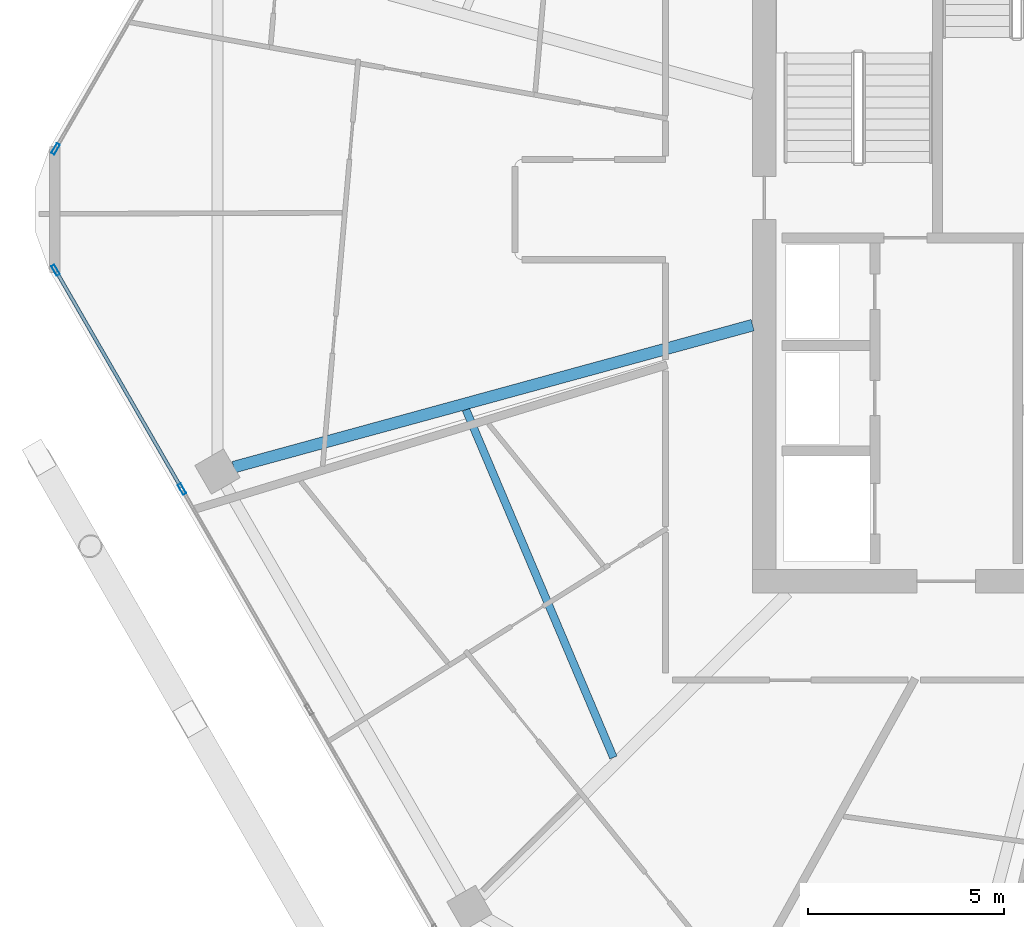
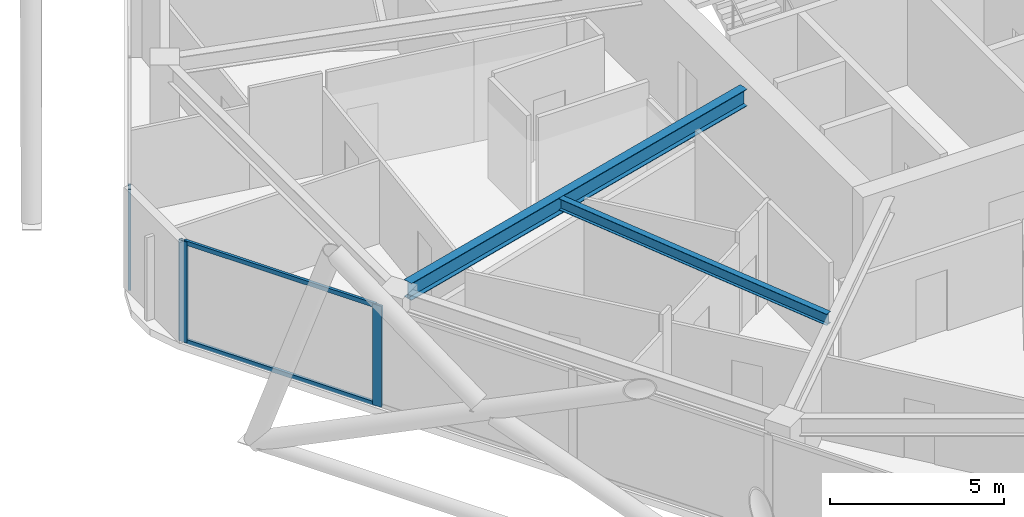
# One storey, part 6 of 27: 5 members, 2 beams, 2 elements without a shape of their own.
"""IFC4 building model written with IfcOpenShell, lengths in metres."""

from ifc_helpers import new_model, si_unit, direction, frame, origin, origin_2d, place, context, subcontext, project, spatial, hollow_rectangle, i_section, extrude, material, material_profile, profile_set, type_object, element, aggregate, save


model = new_model("IFC4")

# Units and contexts
model_context = context("Model", 3, precision=1e-05, world=origin(), true_north=direction((0.0, 1.0)))
body_context = subcontext(model_context, "Body", "Model", "MODEL_VIEW")
ifc_project = project(units=[si_unit("LENGTHUNIT", "METRE"), si_unit("AREAUNIT", "SQUARE_METRE"), si_unit("VOLUMEUNIT", "CUBIC_METRE"), si_unit("PLANEANGLEUNIT", "RADIAN"), si_unit("MASSUNIT", "GRAM", prefix="KILO")], contexts=[model_context])

# Site, building, storey
site_placement = place(None, origin())
site = spatial("IfcSite", under=ifc_project, at=site_placement, CompositionType="ELEMENT")
building_placement = place(site_placement, origin())
building = spatial("IfcBuilding", under=site, at=building_placement, Name="Zuhravey Tower", CompositionType="ELEMENT")
storey_placement = place(building_placement, frame((0.0, 0.0, 276.800048828125)))
storey = spatial("IfcBuildingStorey", under=building, at=storey_placement, Name="L70", CompositionType="ELEMENT", Elevation=276.800048828125)

# Curtain wall, members
ifc_material_1 = material(Name="Thermally broken anodised aluminium", Category="aluminium")
curtain_wall_type = type_object("IfcCurtainWallType", Name="Zone 3-4 High-Rise Curtain Wall CW4", PredefinedType="NOTDEFINED", material=ifc_material_1)
curtain_wall_1_placement = place(storey_placement, origin())
curtain_wall_1 = element("IfcCurtainWall", 1, at=curtain_wall_1_placement, inside=storey, type_object=curtain_wall_type, Name="L70 CW4 CW-L70-F4-1", PredefinedType="NOTDEFINED")
ifc_material_2 = material(Name="Anodised aluminium", Category="aluminium")
ifc_material_profile_1 = material_profile(ifc_material_2, hollow_rectangle(XDim=0.090087890625, YDim=0.284912109375, WallThickness=0.0048828125, at=origin_2d()), Name="ALU-RHS-90x285x5")
ifc_profile_set_1 = profile_set([ifc_material_profile_1], Name="Anodised aluminium")
member_type_1 = type_object("IfcMemberType", Name="Curtain-Wall Mullion 90x180", PredefinedType="MULLION", material=ifc_profile_set_1)
member_1_placement = place(storey_placement, frame((10.608154296875, 24.852783203125, 0.0), z_axis=(0.0, 0.0, 1.0), x_axis=(-0.866024851021, -0.500000957414, 0.0)))
member_1 = element("IfcMember", 2, at=member_1_placement, type_object=member_type_1, Name="CW4 mullion 4", PredefinedType="MULLION", context=body_context, shape_type="SweptSolid", body=[
    extrude(hollow_rectangle(XDim=0.090087890625, YDim=0.284912109375, WallThickness=0.0048828125, at=origin_2d()), origin(), (0.0, 0.0, 1.0), 3.550048828125),
])
member_2_placement = place(storey_placement, frame((7.37744140625, 30.448486328125, 0.0), z_axis=(0.0, 0.0, 1.0), x_axis=(-0.866024851021, -0.500000957414, 0.0)))
member_2 = element("IfcMember", 3, at=member_2_placement, type_object=member_type_1, Name="CW4 mullion 5", PredefinedType="MULLION", context=body_context, shape_type="SweptSolid", body=[
    extrude(hollow_rectangle(XDim=0.090087890625, YDim=0.284912109375, WallThickness=0.0048828125, at=origin_2d()), origin(), (0.0, 0.0, 1.0), 3.550048828125),
])

# Curtain wall, member
curtain_wall_2_placement = place(storey_placement, origin())
curtain_wall_2 = element("IfcCurtainWall", 4, at=curtain_wall_2_placement, inside=storey, type_object=curtain_wall_type, Name="L70 CW4 CW-L70-F3-1", PredefinedType="NOTDEFINED")
member_3_placement = place(storey_placement, frame((7.37744140625, 33.551513671875, 0.0), z_axis=(0.0, 0.0, 1.0), x_axis=(-0.866024851021, 0.500000957414, 0.0)))
member_3 = element("IfcMember", 5, at=member_3_placement, type_object=member_type_1, Name="CW4 mullion 1", PredefinedType="MULLION", context=body_context, shape_type="SweptSolid", body=[
    extrude(hollow_rectangle(XDim=0.090087890625, YDim=0.284912109375, WallThickness=0.0048828125, at=origin_2d()), origin(), (0.0, 0.0, 1.0), 3.550048828125),
])
aggregate(curtain_wall_2, [member_3])

# Member
ifc_material_profile_2 = material_profile(ifc_material_2, hollow_rectangle(XDim=0.090087890625, YDim=0.14990234375, WallThickness=0.0048828125, at=origin_2d()), Name="ALU-RHS-90x150x5")
ifc_profile_set_2 = profile_set([ifc_material_profile_2], Name="Anodised aluminium")
member_type_2 = type_object("IfcMemberType", Name="Curtain-Wall Transom 90x150", PredefinedType="USERDEFINED", material=ifc_profile_set_2)
member_4_placement = place(storey_placement, frame((10.585693359375, 24.891845703125, 0.044921875), z_axis=(-0.500008810174, 0.866020317169, 0.0), x_axis=(-0.866020317169, -0.500008810174, 0.0)))
member_4 = element("IfcMember", 6, at=member_4_placement, type_object=member_type_2, Name="CW4 transom 4.1", ObjectType="TRANSOM", PredefinedType="USERDEFINED", context=body_context, shape_type="SweptSolid", body=[
    extrude(hollow_rectangle(XDim=0.090087890625, YDim=0.14990234375, WallThickness=0.0048828125, at=origin_2d()), origin(), (0.0, 0.0, 1.0), 6.37158203125),
])

member_5_placement = place(storey_placement, frame((10.585693359375, 24.891845703125, 3.5048828125), z_axis=(-0.500008810174, 0.866020317169, 0.0), x_axis=(-0.866020317169, -0.500008810174, 0.0)))
member_5 = element("IfcMember", 7, at=member_5_placement, type_object=member_type_2, Name="CW4 transom 4.2", ObjectType="TRANSOM", PredefinedType="USERDEFINED", context=body_context, shape_type="SweptSolid", body=[
    extrude(hollow_rectangle(XDim=0.090087890625, YDim=0.14990234375, WallThickness=0.0048828125, at=origin_2d()), origin(), (0.0, 0.0, 1.0), 6.37158203125),
])

aggregate(curtain_wall_1, [member_1, member_2, member_4, member_5])

# Beams
ifc_material_3 = material(Name="Steel SM355", Category="steel")
ifc_material_profile_3 = material_profile(ifc_material_3, i_section(OverallWidth=0.300048828125, OverallDepth=0.60009765625, WebThickness=0.011962890625, FlangeThickness=0.02001953125, at=origin_2d()), Name="H-600x300x12x20")
ifc_profile_set_3 = profile_set([ifc_material_profile_3], Name="Steel SM355")
beam_type_1 = type_object("IfcBeamType", Name="Radial Primary Girder H600x300", PredefinedType="BEAM", material=ifc_profile_set_3)
beam_1_placement = place(storey_placement, frame((25.197021484375, 29.04443359375, 3.25), z_axis=(-0.964549305009, -0.263902705947, 0.0), x_axis=(0.263902705947, -0.964549305009, 0.0)))
element("IfcBeam", 8, at=beam_1_placement, inside=storey, type_object=beam_type_1, Name="L70 RG3 BM-L70-RAD-07", PredefinedType="BEAM", context=body_context, shape_type="SweptSolid", body=[
    extrude(i_section(OverallWidth=0.300048828125, OverallDepth=0.60009765625, WebThickness=0.011962890625, FlangeThickness=0.02001953125, at=origin_2d()), origin(), (0.0, 0.0, 1.0), 13.756591796875),
])
ifc_material_profile_4 = material_profile(ifc_material_3, i_section(OverallWidth=0.199951171875, OverallDepth=0.39990234375, WebThickness=0.008056640625, FlangeThickness=0.012939453125, at=origin_2d()), Name="H-400x200x8x13")
ifc_profile_set_4 = profile_set([ifc_material_profile_4], Name="Steel SM355")
beam_type_2 = type_object("IfcBeamType", Name="Secondary Floor Joist H400x200", PredefinedType="JOIST", material=ifc_profile_set_4)
beam_2_placement = place(storey_placement, frame((17.869140625, 26.881103515625, 3.349853515625), z_axis=(0.390413493754, -0.920639616731, 0.0), x_axis=(0.920639616731, 0.390413493754, 0.0)))
element("IfcBeam", 9, at=beam_2_placement, inside=storey, type_object=beam_type_2, Name="L70 SJ2 BM-L70-SJ-07-1", PredefinedType="JOIST", context=body_context, shape_type="SweptSolid", body=[
    extrude(i_section(OverallWidth=0.199951171875, OverallDepth=0.39990234375, WebThickness=0.008056640625, FlangeThickness=0.012939453125, at=origin_2d()), origin(), (0.0, 0.0, 1.0), 9.656494140625),
])

save(model, "model.ifc")
